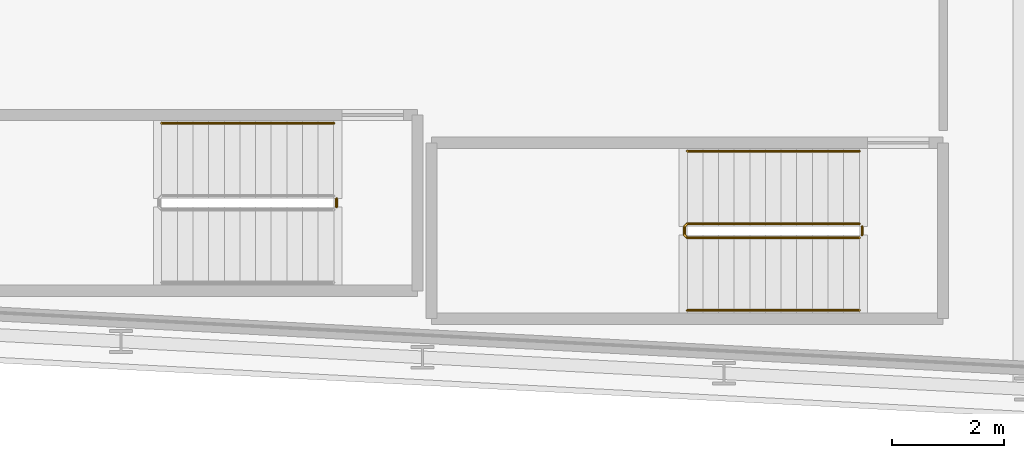
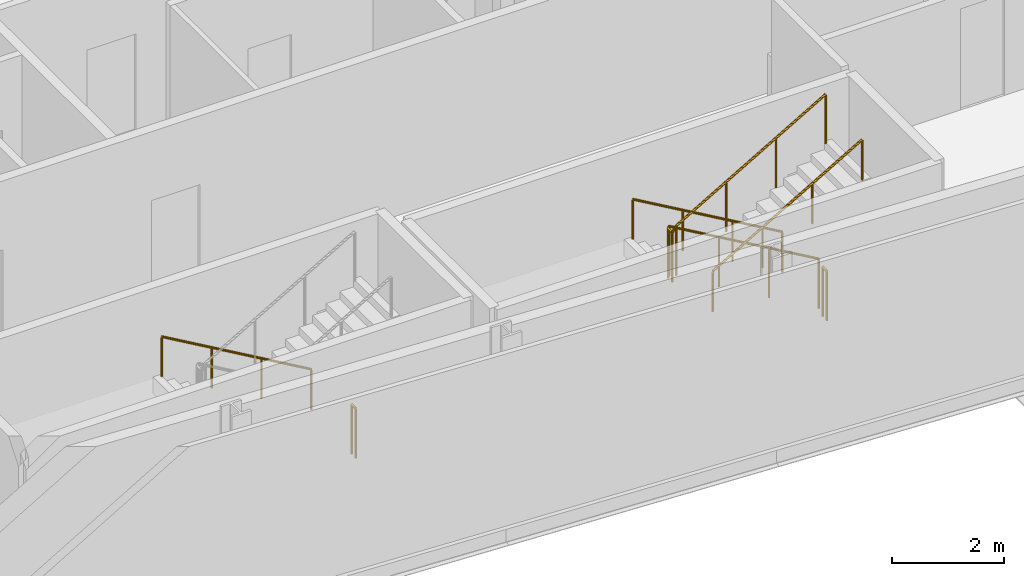
# One storey, part 27 of 30: 6 railings.
"""IFC4 building model written with IfcOpenShell, lengths in metres."""

from ifc_helpers import new_model, si_unit, direction, frame, origin, origin_2d, place, context, subcontext, project, spatial, circle, extrude, material, type_object, element, save


model = new_model("IFC4")

# Units and contexts
model_context = context("Model", 3, precision=1e-05, world=origin(), true_north=direction((0.0, 1.0)))
body_context = subcontext(model_context, "Body", "Model", "MODEL_VIEW")
ifc_project = project(units=[si_unit("LENGTHUNIT", "METRE"), si_unit("AREAUNIT", "SQUARE_METRE"), si_unit("VOLUMEUNIT", "CUBIC_METRE"), si_unit("PLANEANGLEUNIT", "RADIAN"), si_unit("MASSUNIT", "GRAM", prefix="KILO")], contexts=[model_context])

# Site, building, storey
site_placement = place(None, origin())
site = spatial("IfcSite", under=ifc_project, at=site_placement, CompositionType="ELEMENT")
building_placement = place(site_placement, origin())
building = spatial("IfcBuilding", under=site, at=building_placement, Name="Kheshtan School and Residences Tower", CompositionType="ELEMENT")
storey_placement = place(building_placement, frame((0.0, 0.0, 195.5)))
storey = spatial("IfcBuildingStorey", under=building, at=storey_placement, Name="L46", CompositionType="ELEMENT", Elevation=195.5)

# Railings
ifc_material_1 = material(Name="Stainless steel balustrade", Category="steel")
railing_type_1 = type_object("IfcRailingType", Name="Stair guard 1100", PredefinedType="GUARDRAIL", material=ifc_material_1)
railing_1_placement = place(storey_placement, frame((87.820068359375, 23.949951171875, 0.16259765625)))
element("IfcRailing", 1, at=railing_1_placement, inside=storey, type_object=railing_type_1, Name="L46 ST4 stair guard 1", PredefinedType="GUARDRAIL", context=body_context, shape_type="SweptSolid", body=[
    extrude(circle(Radius=0.02392578125, at=origin_2d()), frame((0.0, 0.0, 1.076171875), z_axis=(-0.864920483161, 0.0, 0.501908913857), x_axis=(0.0, -1.0, 0.0)), (0.0, 0.0, 1.0), 3.56103515625),
    extrude(circle(Radius=0.02392578125, at=origin_2d()), frame((-3.080078125, 0.0, 2.86328125), z_axis=(-0.707106781187, -0.707106781187, 0.0), x_axis=(0.707106781187, -0.707106781187, 0.0)), (0.0, 0.0, 1.0), 0.07080078125),
    extrude(circle(Radius=0.02392578125, at=origin_2d()), frame((-3.130126953125, -0.050048828125, 2.86328125), z_axis=(0.0, -1.0, 0.0), x_axis=(1.0, 0.0, 0.0)), (0.0, 0.0, 1.0), 0.14990234375),
    extrude(circle(Radius=0.02392578125, at=origin_2d()), frame((-3.130126953125, -0.199951171875, 2.86328125), z_axis=(0.282227285176, -0.282227285176, 0.916894497205), x_axis=(0.707106781187, 0.707106781187, 0.0)), (0.0, 0.0, 1.0), 0.17724609375),
    extrude(circle(Radius=0.02392578125, at=origin_2d()), frame((-3.080078125, -0.25, 3.02587890625), z_axis=(0.864920483161, 0.0, 0.501908913857), x_axis=(0.0, 1.0, 0.0)), (0.0, 0.0, 1.0), 3.56103515625),
    extrude(circle(Radius=0.02099609375, at=origin_2d()), origin(), (0.0, 0.0, 1.0), 1.052001953125),
    extrude(circle(Radius=0.02099609375, at=origin_2d()), frame((-1.026611328125, 0.0, 0.595703125)), (0.0, 0.0, 1.0), 1.052001953125),
    extrude(circle(Radius=0.02099609375, at=origin_2d()), frame((-2.053466796875, 0.0, 1.191650390625)), (0.0, 0.0, 1.0), 1.052001953125),
    extrude(circle(Radius=0.02099609375, at=origin_2d()), frame((-3.080078125, 0.0, 1.787353515625)), (0.0, 0.0, 1.0), 1.052001953125),
    extrude(circle(Radius=0.02099609375, at=origin_2d()), frame((-3.130126953125, -0.050048828125, 1.787353515625)), (0.0, 0.0, 1.0), 1.052001953125),
    extrude(circle(Radius=0.02099609375, at=origin_2d()), frame((-3.130126953125, -0.199951171875, 1.787353515625)), (0.0, 0.0, 1.0), 1.052001953125),
    extrude(circle(Radius=0.02099609375, at=origin_2d()), frame((-3.080078125, -0.25, 1.949951171875)), (0.0, 0.0, 1.0), 1.052001953125),
    extrude(circle(Radius=0.02099609375, at=origin_2d()), frame((-2.053466796875, -0.25, 2.545654296875)), (0.0, 0.0, 1.0), 1.052001953125),
    extrude(circle(Radius=0.02099609375, at=origin_2d()), frame((-1.026611328125, -0.25, 3.1416015625)), (0.0, 0.0, 1.0), 1.052001953125),
    extrude(circle(Radius=0.02099609375, at=origin_2d()), frame((0.0, -0.25, 3.7373046875)), (0.0, 0.0, 1.0), 1.052001953125),
])
for number, where, name in (
    (2, (87.8701171875, 23.89990234375, 0.0), "L46 ST4 stair guard 2"),
    (3, (78.4599609375, 24.39990234375, 0.0), "L46 ST5 stair guard 2"),
):
    element("IfcRailing", number, at=place(storey_placement, frame(where)), inside=storey, type_object=railing_type_1, Name=name, PredefinedType="GUARDRAIL", context=body_context, shape_type="SweptSolid", body=[
        extrude(circle(Radius=0.02392578125, at=origin_2d()), frame((0.0, 0.0, 1.076171875), z_axis=(0.0, -1.0, 0.0), x_axis=(1.0, 0.0, 0.0)), (0.0, 0.0, 1.0), 0.14990234375),
        extrude(circle(Radius=0.02099609375, at=origin_2d()), origin(), (0.0, 0.0, 1.0), 1.052001953125),
        extrude(circle(Radius=0.02099609375, at=origin_2d()), frame((0.0, -0.14990234375, 0.0)), (0.0, 0.0, 1.0), 1.052001953125),
    ])
ifc_material_2 = material(Name="Stainless steel handrail", Category="steel")
railing_type_2 = type_object("IfcRailingType", Name="Stair handrail 900", PredefinedType="HANDRAIL", material=ifc_material_2)
railing_2_placement = place(storey_placement, frame((87.820068359375, 25.25, 0.16259765625)))
element("IfcRailing", 4, at=railing_2_placement, inside=storey, type_object=railing_type_2, Name="L46 ST4 stair handrail 1", PredefinedType="HANDRAIL", context=body_context, shape_type="SweptSolid", body=[
    extrude(circle(Radius=0.02392578125, at=origin_2d()), frame((0.0, 0.0, 0.8759765625), z_axis=(-0.864920483161, 0.0, 0.501908913857), x_axis=(0.0, -1.0, 0.0)), (0.0, 0.0, 1.0), 3.56103515625),
    extrude(circle(Radius=0.02099609375, at=origin_2d()), origin(), (0.0, 0.0, 1.0), 0.851806640625),
    extrude(circle(Radius=0.02099609375, at=origin_2d()), frame((-1.026611328125, 0.0, 0.595703125)), (0.0, 0.0, 1.0), 0.851806640625),
    extrude(circle(Radius=0.02099609375, at=origin_2d()), frame((-2.053466796875, 0.0, 1.191650390625)), (0.0, 0.0, 1.0), 0.851806640625),
    extrude(circle(Radius=0.02099609375, at=origin_2d()), frame((-3.080078125, 0.0, 1.787353515625)), (0.0, 0.0, 1.0), 0.851806640625),
])
railing_3_placement = place(storey_placement, frame((84.739990234375, 22.39990234375, 2.112548828125)))
element("IfcRailing", 5, at=railing_3_placement, inside=storey, type_object=railing_type_2, Name="L46 ST4 stair handrail 2", PredefinedType="HANDRAIL", context=body_context, shape_type="SweptSolid", body=[
    extrude(circle(Radius=0.02392578125, at=origin_2d()), frame((0.0, 0.0, 0.8759765625), z_axis=(0.864920483161, 0.0, 0.501908913857), x_axis=(0.0, 1.0, 0.0)), (0.0, 0.0, 1.0), 3.56103515625),
    extrude(circle(Radius=0.02099609375, at=origin_2d()), origin(), (0.0, 0.0, 1.0), 0.851806640625),
    extrude(circle(Radius=0.02099609375, at=origin_2d()), frame((1.026611328125, 0.0, 0.595703125)), (0.0, 0.0, 1.0), 0.851806640625),
    extrude(circle(Radius=0.02099609375, at=origin_2d()), frame((2.053466796875, 0.0, 1.191650390625)), (0.0, 0.0, 1.0), 0.851806640625),
    extrude(circle(Radius=0.02099609375, at=origin_2d()), frame((3.080078125, 0.0, 1.787353515625)), (0.0, 0.0, 1.0), 0.851806640625),
])
railing_4_placement = place(storey_placement, frame((78.409912109375, 25.75, 0.16259765625)))
element("IfcRailing", 6, at=railing_4_placement, inside=storey, type_object=railing_type_2, Name="L46 ST5 stair handrail 1", PredefinedType="HANDRAIL", context=body_context, shape_type="SweptSolid", body=[
    extrude(circle(Radius=0.02392578125, at=origin_2d()), frame((0.0, 0.0, 0.8759765625), z_axis=(-0.864903211148, 0.0, 0.501938676878), x_axis=(0.0, -1.0, 0.0)), (0.0, 0.0, 1.0), 3.560791015625),
    extrude(circle(Radius=0.02099609375, at=origin_2d()), origin(), (0.0, 0.0, 1.0), 0.851806640625),
    extrude(circle(Radius=0.02099609375, at=origin_2d()), frame((-1.026611328125, 0.0, 0.595703125)), (0.0, 0.0, 1.0), 0.851806640625),
    extrude(circle(Radius=0.02099609375, at=origin_2d()), frame((-2.05322265625, 0.0, 1.191650390625)), (0.0, 0.0, 1.0), 0.851806640625),
    extrude(circle(Radius=0.02099609375, at=origin_2d()), frame((-3.079833984375, 0.0, 1.787353515625)), (0.0, 0.0, 1.0), 0.851806640625),
])

save(model, "model.ifc")
